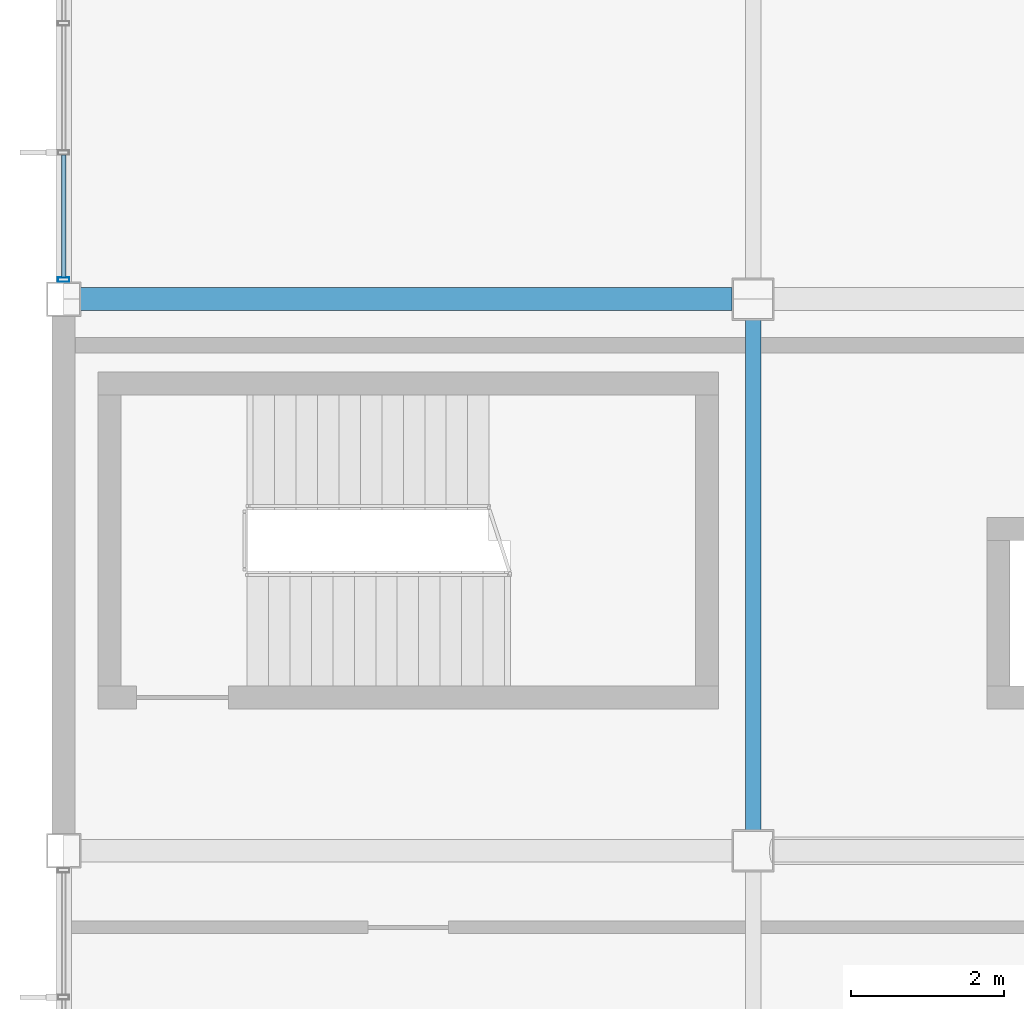
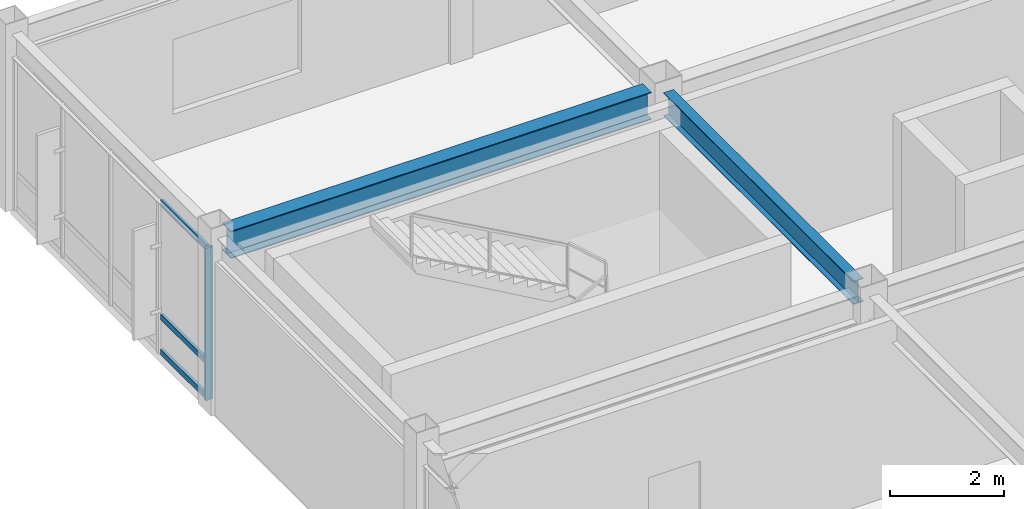
# One storey, part 55 of 122: 4 members, 2 beams, 1 element without a shape of its own.
"""IFC4 building model written with IfcOpenShell, lengths in metres."""

import ifcopenshell
import ifcopenshell.guid

model = None  # the IFC model being written
_history = None  # IfcOwnerHistory: only IFC2X3 demands one
_inside = {}  # id of a spatial element -> (the spatial element, [elements in it])
_under = {}  # id of a project, library or spatial element -> (it, [spatial elements below it])
_declared = {}  # id of a project -> (the project, [libraries it declares])
_typed = {}  # id of a type object -> (the type object, [elements of that type])
_made_of = {}  # id of a material, layer set ... -> (it, [elements and type objects made of it])


def new_model(schema):
    """Start an empty IFC model of exactly this schema.

    Asked for "IFC4X3", IfcOpenShell would pick the latest addendum, in which some entities
    have other attributes; the version numbers below select the first issue.
    IFC2X3 requires an IfcOwnerHistory on every rooted entity: one is made here for all.
    """
    global model, _history
    if schema == "IFC4X3":
        model = ifcopenshell.file(schema_version=(4, 3, 0, 0))
    else:
        model = ifcopenshell.file(schema=schema)
    _inside.clear()
    _under.clear()
    _declared.clear()
    _typed.clear()
    _made_of.clear()
    _history = None
    if model.schema == "IFC2X3":
        org = make("IfcOrganization", Name="unknown")
        user = make(
            "IfcPersonAndOrganization",
            ThePerson=make("IfcPerson", FamilyName="unknown"),
            TheOrganization=org,
        )
        app = make(
            "IfcApplication",
            ApplicationDeveloper=org,
            Version="unknown",
            ApplicationFullName="unknown",
            ApplicationIdentifier="unknown",
        )
        _history = make(
            "IfcOwnerHistory",
            OwningUser=user,
            OwningApplication=app,
            ChangeAction="ADDED",
            CreationDate=0,
        )
    return model


def make(cls, **values):
    """One entity of the class cls with the attributes given. An attribute that is None is left unset."""
    return model.create_entity(
        cls, **{name: value for name, value in values.items() if value is not None}
    )


def rooted(cls, **values):
    """An entity with a GlobalId (a new one), such as an element, a storey or a relation."""
    return make(cls, GlobalId=ifcopenshell.guid.new(), OwnerHistory=_history, **values)


def si_unit(unit_type, name, prefix=None):
    """IfcSIUnit, for example si_unit("LENGTHUNIT", "METRE", prefix="MILLI")."""
    return make("IfcSIUnit", UnitType=unit_type, Prefix=prefix, Name=name)


def assignment(units):
    """IfcUnitAssignment: the units of a project."""
    return None if units is None else make("IfcUnitAssignment", Units=units)


def point(xyz):
    """IfcCartesianPoint."""
    return None if xyz is None else make("IfcCartesianPoint", Coordinates=xyz)


def direction(xyz):
    """IfcDirection."""
    return None if xyz is None else make("IfcDirection", DirectionRatios=xyz)


def frame(location, z_axis=None, x_axis=None):
    """IfcAxis2Placement3D, a coordinate frame: its origin and axes. An axis left out is left unset."""
    return make(
        "IfcAxis2Placement3D",
        Location=point(location),
        Axis=direction(z_axis),
        RefDirection=direction(x_axis),
    )


def frame_2d(location, x_axis=None):
    """IfcAxis2Placement2D, a coordinate frame in the plane: its origin and x axis."""
    return make(
        "IfcAxis2Placement2D", Location=point(location), RefDirection=direction(x_axis)
    )


def origin():
    """The frame at (0, 0, 0) with its axes left unset."""
    return frame((0.0, 0.0, 0.0))


def origin_2d():
    """The frame at (0, 0) in the plane with its x axis left unset."""
    return frame_2d((0.0, 0.0))


def place(relative_to, where):
    """IfcLocalPlacement: puts the frame where relative to a parent placement (None: the world)."""
    return make(
        "IfcLocalPlacement", PlacementRelTo=relative_to, RelativePlacement=where
    )


def context(
    kind, dimensions, precision=None, world=None, true_north=None, identifier=None
):
    """IfcGeometricRepresentationContext, for example the 3D "Model" context."""
    return make(
        "IfcGeometricRepresentationContext",
        ContextIdentifier=identifier,
        ContextType=kind,
        CoordinateSpaceDimension=dimensions,
        Precision=precision,
        WorldCoordinateSystem=world,
        TrueNorth=true_north,
    )


def subcontext(parent, identifier, kind, view, scale=None):
    """IfcGeometricRepresentationSubContext, for example "Body" below "Model"."""
    return make(
        "IfcGeometricRepresentationSubContext",
        ContextIdentifier=identifier,
        ContextType=kind,
        ParentContext=parent,
        TargetScale=scale,
        TargetView=view,
    )


def project(units=None, contexts=None):
    """IfcProject with its units and contexts."""
    return rooted(
        "IfcProject",
        Name="project",
        RepresentationContexts=contexts,
        UnitsInContext=assignment(units),
    )


def spatial(cls, under=None, at=None, **own):
    """A site, building, storey or space (cls), placed at a placement, below another one or the project."""
    s = rooted(cls, ObjectPlacement=at, **own)
    if under is not None:
        _under.setdefault(under.id(), (under, []))[1].append(s)
    return s


def profile(cls, at=None, kind="AREA", **sizes):
    """A parametric profile (cls). Its sizes go by their IFC names, for example OverallWidth=200.0."""
    return make(cls, ProfileType=kind, Position=at, **sizes)


def hollow_rectangle(**sizes):
    """IfcRectangleHollowProfileDef."""
    return profile("IfcRectangleHollowProfileDef", **sizes)


def i_section(**sizes):
    """IfcIShapeProfileDef."""
    return profile("IfcIShapeProfileDef", **sizes)


def extrude(swept, where, along, depth):
    """IfcExtrudedAreaSolid: the profile swept, set in the frame where, extruded along a direction by depth."""
    return make(
        "IfcExtrudedAreaSolid",
        SweptArea=swept,
        Position=where,
        ExtrudedDirection=direction(along),
        Depth=depth,
    )


def shape(context_of_items, identifier, shape_type, items):
    """IfcShapeRepresentation: the items that make up one representation, for example the "Body"."""
    return make(
        "IfcShapeRepresentation",
        ContextOfItems=context_of_items,
        RepresentationIdentifier=identifier,
        RepresentationType=shape_type,
        Items=items,
    )


def material(Name=None, Category=None):
    """IfcMaterial."""
    return make("IfcMaterial", Name=Name, Category=Category)


def material_profile(
    of_material, cross_section, Name=None, Category=None, Priority=None
):
    """IfcMaterialProfile: a cross section and its material."""
    return make(
        "IfcMaterialProfile",
        Name=Name,
        Material=of_material,
        Profile=cross_section,
        Priority=Priority,
        Category=Category,
    )


def profile_set(profiles, Name=None, composite=None):
    """IfcMaterialProfileSet."""
    return make(
        "IfcMaterialProfileSet",
        Name=Name,
        MaterialProfiles=profiles,
        CompositeProfile=composite,
    )


def made_of(thing, what):
    """Note that an element or type object is made of a material, layer set ...; save() writes the relation."""
    if what is not None:
        _made_of.setdefault(what.id(), (what, []))[1].append(thing)
    return thing


def type_object(cls, material=None, **own):
    """A type object (cls), such as IfcWallType, which elements share."""
    return made_of(rooted(cls, **own), material)


def element(
    cls,
    number,
    at=None,
    inside=None,
    cuts=None,
    type_object=None,
    material=None,
    context=None,
    identifier="Body",
    shape_type=None,
    held_by="IfcProductDefinitionShape",
    body=None,
    shapes=None,
    **own,
):
    """One element of the class cls, such as IfcWall. Its Tag is "e" and its number.

    at: its placement. inside: the storey or other place that contains it. cuts: it is an
    opening in that element (IfcRelVoidsElement). A single representation is given by context,
    identifier, shape_type and body (its items); several are given by shapes. held_by: the class
    of the entity that holds the representations. save() writes the other relations.
    """
    e = rooted(cls, Tag="e%d" % number, ObjectPlacement=at, **own)
    if body is not None:
        shapes = [shape(context, identifier, shape_type, body)]
    if shapes is not None:
        e.Representation = make(held_by, Representations=shapes)
    if inside is not None:
        _inside.setdefault(inside.id(), (inside, []))[1].append(e)
    if cuts is not None:
        rooted(
            "IfcRelVoidsElement", RelatingBuildingElement=cuts, RelatedOpeningElement=e
        )
    if type_object is not None:
        _typed.setdefault(type_object.id(), (type_object, []))[1].append(e)
    return made_of(e, material)


def aggregate(whole, parts):
    """IfcRelAggregates: a whole, such as a stair, and the parts it consists of."""
    return rooted("IfcRelAggregates", RelatingObject=whole, RelatedObjects=parts)


def save(model, path):
    """Write the relations noted so far, then the file.

    IfcRelAggregates (storeys below a building ...), IfcRelContainedInSpatialStructure (elements
    in a storey), IfcRelDefinesByType, IfcRelAssociatesMaterial and IfcRelDeclares: one each for
    every whole, place, type object, material and project.
    """
    for whole, parts in _under.values():
        aggregate(whole, parts)
    for where, things in _inside.values():
        rooted(
            "IfcRelContainedInSpatialStructure",
            RelatedElements=things,
            RelatingStructure=where,
        )
    for kind, things in _typed.values():
        rooted("IfcRelDefinesByType", RelatedObjects=things, RelatingType=kind)
    for what, things in _made_of.values():
        rooted("IfcRelAssociatesMaterial", RelatedObjects=things, RelatingMaterial=what)
    for by, libraries in _declared.values():
        rooted("IfcRelDeclares", RelatingContext=by, RelatedDefinitions=libraries)
    model.write(path)


model = new_model("IFC4")

# Units and contexts
model_context = context("Model", 3, precision=1e-05, world=origin(), true_north=direction((0.0, 1.0)))
body_context = subcontext(model_context, "Body", "Model", "MODEL_VIEW")
ifc_project = project(units=[si_unit("LENGTHUNIT", "METRE"), si_unit("AREAUNIT", "SQUARE_METRE"), si_unit("VOLUMEUNIT", "CUBIC_METRE"), si_unit("PLANEANGLEUNIT", "RADIAN"), si_unit("MASSUNIT", "GRAM", prefix="KILO")], contexts=[model_context])

# Site, building, storey
site_placement = place(None, origin())
site = spatial("IfcSite", under=ifc_project, at=site_placement, CompositionType="ELEMENT")
building_placement = place(site_placement, origin())
building = spatial("IfcBuilding", under=site, at=building_placement, Name="Kazanami Central Library", CompositionType="ELEMENT")
storey_placement = place(building_placement, frame((0.0, 0.0, 4.800048828125)))
storey = spatial("IfcBuildingStorey", under=building, at=storey_placement, Name="L02", CompositionType="ELEMENT", Elevation=4.800048828125)

# Beams
ifc_material_1 = material(Name="Steel SN490B (325 MPa)", Category="steel")
ifc_material_profile_1 = material_profile(ifc_material_1, i_section(OverallWidth=0.300048828125, OverallDepth=0.587890625, WebThickness=0.011962890625, FlangeThickness=0.02001953125, at=origin_2d()), Name="H-588x300x12x20")
ifc_profile_set_1 = profile_set([ifc_material_profile_1], Name="Steel SN490B (325 MPa)")
beam_type_1 = type_object("IfcBeamType", Name="BM-G-X2", PredefinedType="BEAM", material=ifc_profile_set_1)
beam_1_placement = place(storey_placement, frame((0.222900390625, 86.39990234375, 3.4609375), z_axis=(1.0, 0.0, 0.0), x_axis=(0.0, 1.0, 0.0)))
element("IfcBeam", 1, at=beam_1_placement, inside=storey, type_object=beam_type_1, Name="Girder G-X2 L02 N/1-2", PredefinedType="BEAM", context=body_context, shape_type="SweptSolid", body=[
    extrude(i_section(OverallWidth=0.300048828125, OverallDepth=0.587890625, WebThickness=0.011962890625, FlangeThickness=0.02001953125, at=origin_2d()), origin(), (0.0, 0.0, 1.0), 8.504150390625),
])
ifc_material_profile_2 = material_profile(ifc_material_1, i_section(OverallWidth=0.199951171875, OverallDepth=0.5, WebThickness=0.010009765625, FlangeThickness=0.01611328125, at=origin_2d()), Name="H-500x200x10x16")
ifc_profile_set_2 = profile_set([ifc_material_profile_2], Name="Steel SN490B (325 MPa)")
beam_type_2 = type_object("IfcBeamType", Name="BM-G-Y2", PredefinedType="BEAM", material=ifc_profile_set_2)
beam_2_placement = place(storey_placement, frame((9.0, 79.472900390625, 3.5048828125), z_axis=(0.0, 1.0, 0.0), x_axis=(-1.0, 0.0, 0.0)))
element("IfcBeam", 2, at=beam_2_placement, inside=storey, type_object=beam_type_2, Name="Girder G-Y2 L02 2/M-N", PredefinedType="BEAM", context=body_context, shape_type="SweptSolid", body=[
    extrude(i_section(OverallWidth=0.199951171875, OverallDepth=0.5, WebThickness=0.010009765625, FlangeThickness=0.01611328125, at=origin_2d()), origin(), (0.0, 0.0, 1.0), 6.654052734375),
])

# Curtain wall, members
ifc_material_2 = material(Name="Acid-Etched Low-E Laminated Glass", Category="glass")
curtain_wall_type = type_object("IfcCurtainWallType", Name="CW-6750x3255-M180", PredefinedType="USERDEFINED", material=ifc_material_2)
curtain_wall_placement = place(storey_placement, origin())
curtain_wall = element("IfcCurtainWall", 3, at=curtain_wall_placement, inside=storey, type_object=curtain_wall_type, Name="Unitised Curtain Wall CW-21 L02 W-1-12", ObjectType="UNITISED CURTAIN WALL", PredefinedType="USERDEFINED")
ifc_material_3 = material(Name="Anodised Aluminium A6063-T5", Category="aluminium")
ifc_material_profile_3 = material_profile(ifc_material_3, hollow_rectangle(XDim=0.06005859375, YDim=0.14990234375, WallThickness=0.00390625, at=origin_2d()), Name="ALU-MULL-60x150x4")
ifc_profile_set_3 = profile_set([ifc_material_profile_3], Name="Anodised Aluminium A6063-T5")
member_type_1 = type_object("IfcMemberType", Name="MEM-CW-M3", PredefinedType="MULLION", material=ifc_profile_set_3)
member_1_placement = place(storey_placement, frame((0.0, 86.655029296875, 0.0), z_axis=(0.0, 0.0, 1.0), x_axis=(0.0, 1.0, 0.0)))
member_1 = element("IfcMember", 4, at=member_1_placement, type_object=member_type_1, Name="CW-21 mullion 1", PredefinedType="MULLION", context=body_context, shape_type="SweptSolid", body=[
    extrude(hollow_rectangle(XDim=0.06005859375, YDim=0.14990234375, WallThickness=0.00390625, at=origin_2d()), origin(), (0.0, 0.0, 1.0), 3.2548828125),
])
ifc_material_profile_4 = material_profile(ifc_material_3, hollow_rectangle(XDim=0.06005859375, YDim=0.1201171875, WallThickness=0.00341796875, at=origin_2d()), Name="ALU-TRAN-60x120x3.5")
ifc_profile_set_4 = profile_set([ifc_material_profile_4], Name="Anodised Aluminium A6063-T5")
member_type_2 = type_object("IfcMemberType", Name="MEM-CW-T3", PredefinedType="USERDEFINED", material=ifc_profile_set_4)
member_2_placement = place(storey_placement, frame((0.0, 86.68505859375, 0.030029296875), z_axis=(0.0, 1.0, 0.0), x_axis=(-1.0, 0.0, 0.0)))
member_2 = element("IfcMember", 5, at=member_2_placement, type_object=member_type_2, Name="CW-21 transom 1.1", ObjectType="TRANSOM", PredefinedType="USERDEFINED", context=body_context, shape_type="SweptSolid", body=[
    extrude(hollow_rectangle(XDim=0.06005859375, YDim=0.1201171875, WallThickness=0.00341796875, at=origin_2d()), origin(), (0.0, 0.0, 1.0), 1.597412109375),
])
member_3_placement = place(storey_placement, frame((0.0, 86.68505859375, 0.780029296875), z_axis=(0.0, 1.0, 0.0), x_axis=(-1.0, 0.0, 0.0)))
member_3 = element("IfcMember", 6, at=member_3_placement, type_object=member_type_2, Name="CW-21 transom 1.2", ObjectType="TRANSOM", PredefinedType="USERDEFINED", context=body_context, shape_type="SweptSolid", body=[
    extrude(hollow_rectangle(XDim=0.06005859375, YDim=0.1201171875, WallThickness=0.00341796875, at=origin_2d()), origin(), (0.0, 0.0, 1.0), 1.597412109375),
])
member_4_placement = place(storey_placement, frame((0.0, 86.68505859375, 3.224853515625), z_axis=(0.0, 1.0, 0.0), x_axis=(-1.0, 0.0, 0.0)))
member_4 = element("IfcMember", 7, at=member_4_placement, type_object=member_type_2, Name="CW-21 transom 1.3", ObjectType="TRANSOM", PredefinedType="USERDEFINED", context=body_context, shape_type="SweptSolid", body=[
    extrude(hollow_rectangle(XDim=0.06005859375, YDim=0.1201171875, WallThickness=0.00341796875, at=origin_2d()), origin(), (0.0, 0.0, 1.0), 1.597412109375),
])
aggregate(curtain_wall, [member_1, member_2, member_3, member_4])

save(model, "model.ifc")
